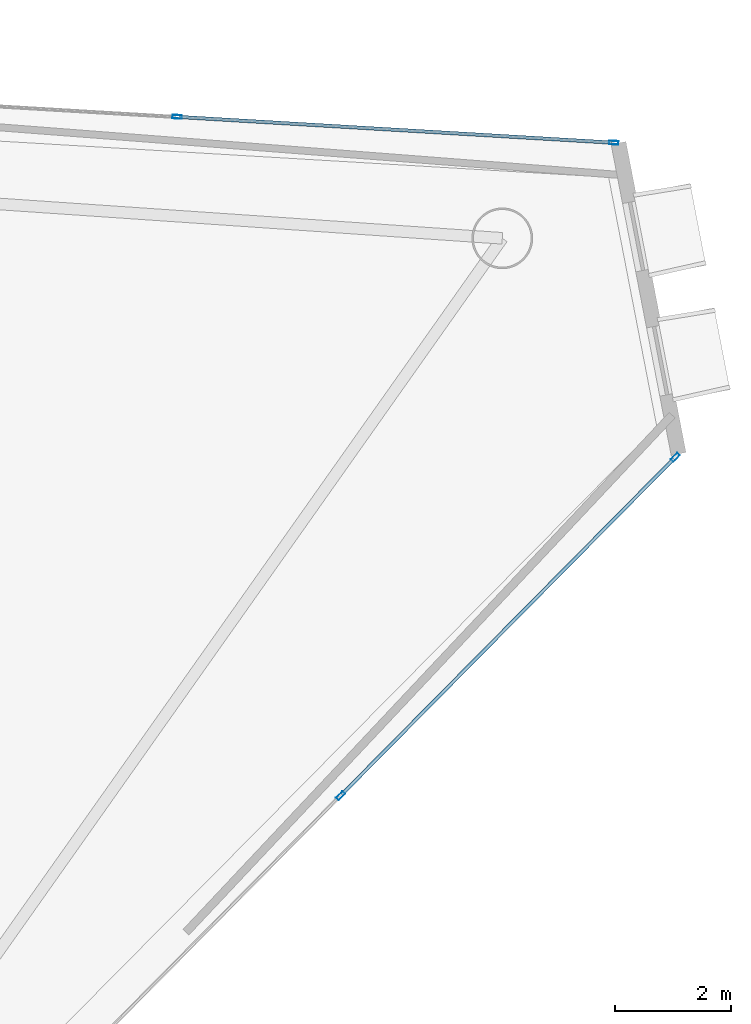
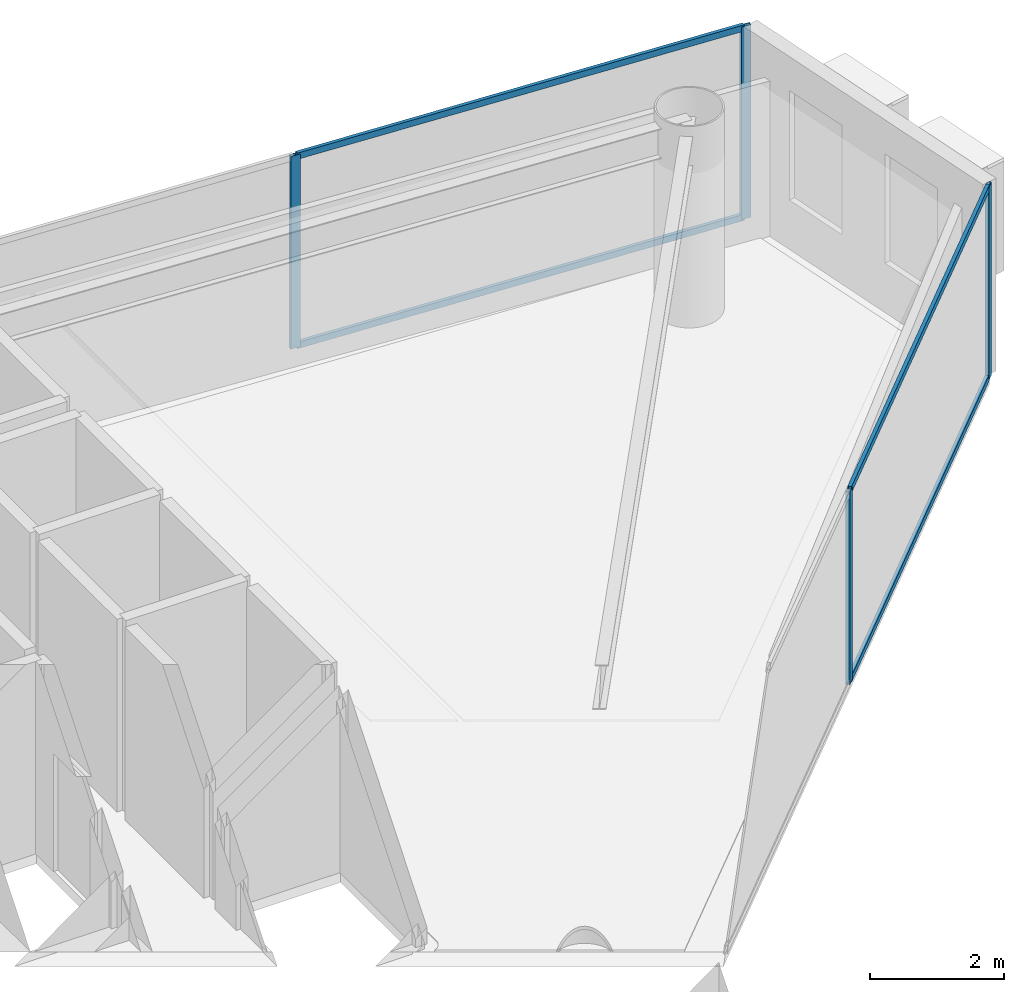
# One storey, part 14 of 20: 8 members, 2 elements without a shape of their own.
"""IFC4 building model written with IfcOpenShell, lengths in metres."""

from ifc_helpers import new_model, si_unit, direction, frame, origin, origin_2d, place, context, subcontext, project, spatial, hollow_rectangle, extrude, material, layer, layer_set, material_profile, profile_set, type_object, element, aggregate, save


model = new_model("IFC4")

# Units and contexts
model_context = context("Model", 3, precision=1e-05, world=origin(), true_north=direction((0.0, 1.0)))
body_context = subcontext(model_context, "Body", "Model", "MODEL_VIEW")
ifc_project = project(units=[si_unit("LENGTHUNIT", "METRE"), si_unit("AREAUNIT", "SQUARE_METRE"), si_unit("VOLUMEUNIT", "CUBIC_METRE"), si_unit("PLANEANGLEUNIT", "RADIAN"), si_unit("MASSUNIT", "GRAM", prefix="KILO")], contexts=[model_context])

# Site, building, storey
site_placement = place(None, origin())
site = spatial("IfcSite", under=ifc_project, at=site_placement, CompositionType="ELEMENT")
building_placement = place(site_placement, origin())
building = spatial("IfcBuilding", under=site, at=building_placement, Name="Qianvela Tower", CompositionType="ELEMENT")
storey_placement = place(building_placement, frame((0.0, 0.0, 239.0)))
storey = spatial("IfcBuildingStorey", under=building, at=storey_placement, Name="L61", CompositionType="ELEMENT", Elevation=239.0)

# Curtain wall, members
ifc_material_1 = material(Name="Anodised Architectural Aluminium and Low-E Glass", Category="aluminium")
ifc_layer = layer(ifc_material_1, 0.159912109375)
ifc_layer_set = layer_set([ifc_layer], Name="Anodised Architectural Aluminium and Low-E Glass")
curtain_wall_type = type_object("IfcCurtainWallType", Name="CW-COLIV-Z56", PredefinedType="USERDEFINED", material=ifc_layer_set)
curtain_wall_1_placement = place(storey_placement, origin())
curtain_wall_1 = element("IfcCurtainWall", 1, at=curtain_wall_1_placement, inside=storey, type_object=curtain_wall_type, Name="L61 CW-COLIV-Z56 Curtain Wall 02A", ObjectType="CURTAIN_WALL_SYSTEM", PredefinedType="USERDEFINED")
ifc_material_2 = material(Name="Anodised Architectural Aluminium 6063-T6", Category="aluminium")
ifc_material_profile_1 = material_profile(ifc_material_2, hollow_rectangle(XDim=0.06494140625, YDim=0.159912109375, WallThickness=0.0048828125, at=origin_2d()), Name="ALU-MULL-65x160")
ifc_profile_set_1 = profile_set([ifc_material_profile_1], Name="Anodised Architectural Aluminium 6063-T6")
member_type_1 = type_object("IfcMemberType", Name="CW-COLIV-Z56-MULL", PredefinedType="MULLION", material=ifc_profile_set_1)
member_1_placement = place(storey_placement, frame((57.255615234375, 36.2548828125, 0.0), z_axis=(0.0, 0.0, 1.0), x_axis=(-0.059182165757, -0.998247199473, 0.0)))
member_1 = element("IfcMember", 2, at=member_1_placement, type_object=member_type_1, Name="CW-5 mullion 1", PredefinedType="MULLION", context=body_context, shape_type="SweptSolid", body=[
    extrude(hollow_rectangle(XDim=0.06494140625, YDim=0.159912109375, WallThickness=0.0048828125, at=origin_2d()), origin(), (0.0, 0.0, 1.0), 3.52001953125),
])
member_2_placement = place(storey_placement, frame((49.72119140625, 36.701416015625, 0.0), z_axis=(0.0, 0.0, 1.0), x_axis=(-0.059182165757, -0.998247199473, 0.0)))
member_2 = element("IfcMember", 3, at=member_2_placement, type_object=member_type_1, Name="CW-5 mullion 2", PredefinedType="MULLION", context=body_context, shape_type="SweptSolid", body=[
    extrude(hollow_rectangle(XDim=0.06494140625, YDim=0.159912109375, WallThickness=0.0048828125, at=origin_2d()), origin(), (0.0, 0.0, 1.0), 3.52001953125),
])

curtain_wall_2_placement = place(storey_placement, origin())
curtain_wall_2 = element("IfcCurtainWall", 4, at=curtain_wall_2_placement, inside=storey, type_object=curtain_wall_type, Name="L61 CW-COLIV-Z56 Curtain Wall 06B", ObjectType="CURTAIN_WALL_SYSTEM", PredefinedType="USERDEFINED")
member_3_placement = place(storey_placement, frame((52.540283203125, 24.986083984375, 0.0), z_axis=(0.0, 0.0, 1.0), x_axis=(-0.710961521826, 0.703230911211, 0.0)))
member_3 = element("IfcMember", 5, at=member_3_placement, type_object=member_type_1, Name="CW-5 mullion 2", PredefinedType="MULLION", context=body_context, shape_type="SweptSolid", body=[
    extrude(hollow_rectangle(XDim=0.06494140625, YDim=0.159912109375, WallThickness=0.0048828125, at=origin_2d()), origin(), (0.0, 0.0, 1.0), 3.52001953125),
])
member_4_placement = place(storey_placement, frame((58.316650390625, 30.825927734375, 0.0), z_axis=(0.0, 0.0, 1.0), x_axis=(-0.710961521826, 0.703230911211, 0.0)))
member_4 = element("IfcMember", 6, at=member_4_placement, type_object=member_type_1, Name="CW-5 mullion 3", PredefinedType="MULLION", context=body_context, shape_type="SweptSolid", body=[
    extrude(hollow_rectangle(XDim=0.06494140625, YDim=0.159912109375, WallThickness=0.0048828125, at=origin_2d()), origin(), (0.0, 0.0, 1.0), 3.52001953125),
])

# Member
ifc_material_3 = material(Name="Anodised Architectural Aluminium 6063-T6", Category="aluminium")
ifc_material_profile_2 = material_profile(ifc_material_3, hollow_rectangle(XDim=0.06005859375, YDim=0.114990234375, WallThickness=0.00390625, at=origin_2d()), Name="ALU-TRAN-60x115")
ifc_profile_set_2 = profile_set([ifc_material_profile_2], Name="Anodised Architectural Aluminium 6063-T6")
member_type_2 = type_object("IfcMemberType", Name="CW-COLIV-Z56-TRAN", PredefinedType="USERDEFINED", material=ifc_profile_set_2)
member_5_placement = place(storey_placement, frame((57.22314453125, 36.2568359375, 0.030029296875), z_axis=(-0.998248852373, 0.059154279109, 0.0), x_axis=(-0.059154279109, -0.998248852373, 0.0)))
member_5 = element("IfcMember", 7, at=member_5_placement, type_object=member_type_2, Name="CW-5 transom 1.1", ObjectType="TRANSOM", PredefinedType="USERDEFINED", context=body_context, shape_type="SweptSolid", body=[
    extrude(hollow_rectangle(XDim=0.06005859375, YDim=0.114990234375, WallThickness=0.00390625, at=origin_2d()), origin(), (0.0, 0.0, 1.0), 7.482666015625),
])

member_6_placement = place(storey_placement, frame((57.22314453125, 36.2568359375, 3.489990234375), z_axis=(-0.998248852373, 0.059154279109, 0.0), x_axis=(-0.059154279109, -0.998248852373, 0.0)))
member_6 = element("IfcMember", 8, at=member_6_placement, type_object=member_type_2, Name="CW-5 transom 1.2", ObjectType="TRANSOM", PredefinedType="USERDEFINED", context=body_context, shape_type="SweptSolid", body=[
    extrude(hollow_rectangle(XDim=0.06005859375, YDim=0.114990234375, WallThickness=0.00390625, at=origin_2d()), origin(), (0.0, 0.0, 1.0), 7.482666015625),
])

aggregate(curtain_wall_1, [member_1, member_2, member_5, member_6])

member_7_placement = place(storey_placement, frame((52.563232421875, 25.00927734375, 0.030029296875), z_axis=(0.703216343523, 0.710975930818, 0.0), x_axis=(-0.710975930818, 0.703216343523, 0.0)))
member_7 = element("IfcMember", 9, at=member_7_placement, type_object=member_type_2, Name="CW-5 transom 2.1", ObjectType="TRANSOM", PredefinedType="USERDEFINED", context=body_context, shape_type="SweptSolid", body=[
    extrude(hollow_rectangle(XDim=0.06005859375, YDim=0.114990234375, WallThickness=0.00390625, at=origin_2d()), origin(), (0.0, 0.0, 1.0), 8.14892578125),
])

member_8_placement = place(storey_placement, frame((52.563232421875, 25.00927734375, 3.489990234375), z_axis=(0.703216343523, 0.710975930818, 0.0), x_axis=(-0.710975930818, 0.703216343523, 0.0)))
member_8 = element("IfcMember", 10, at=member_8_placement, type_object=member_type_2, Name="CW-5 transom 2.2", ObjectType="TRANSOM", PredefinedType="USERDEFINED", context=body_context, shape_type="SweptSolid", body=[
    extrude(hollow_rectangle(XDim=0.06005859375, YDim=0.114990234375, WallThickness=0.00390625, at=origin_2d()), origin(), (0.0, 0.0, 1.0), 8.14892578125),
])

aggregate(curtain_wall_2, [member_3, member_4, member_7, member_8])

save(model, "model.ifc")
